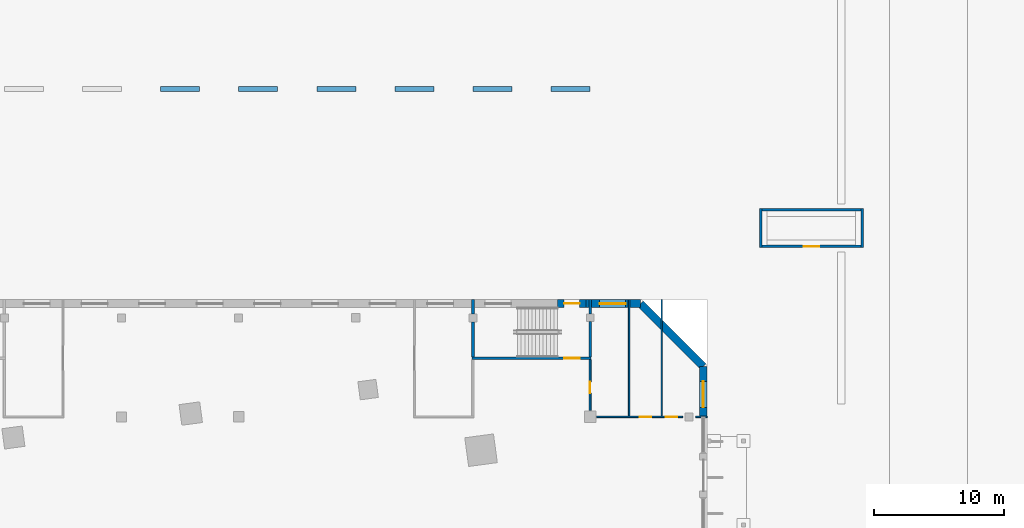
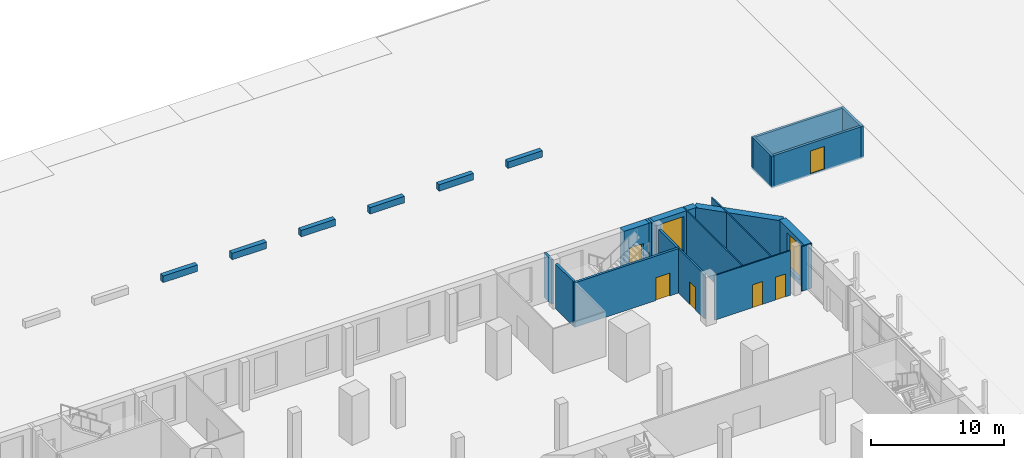
# One storey, part 33 of 42: 24 walls, 6 doors, 2 windows, 8 openings.
"""IFC4 building model written with IfcOpenShell, lengths in metres."""

from ifc_helpers import new_model, si_unit, direction, frame, frame_2d, origin, place, context, subcontext, project, spatial, rectangle, extrude, material, layer, layer_set, type_object, element, fill, save


model = new_model("IFC4")

# Units and contexts
model_context = context("Model", 3, precision=1e-05, world=origin(), true_north=direction((0.0, 1.0)))
body_context = subcontext(model_context, "Body", "Model", "MODEL_VIEW")
ifc_project = project(units=[si_unit("LENGTHUNIT", "METRE"), si_unit("AREAUNIT", "SQUARE_METRE"), si_unit("VOLUMEUNIT", "CUBIC_METRE"), si_unit("PLANEANGLEUNIT", "RADIAN"), si_unit("MASSUNIT", "GRAM", prefix="KILO")], contexts=[model_context])

# Site, building, storey
site_placement = place(None, origin())
site = spatial("IfcSite", under=ifc_project, at=site_placement, CompositionType="ELEMENT")
building_placement = place(site_placement, origin())
building = spatial("IfcBuilding", under=site, at=building_placement, Name="Dilmun Exchange Tower", CompositionType="ELEMENT")
storey_placement = place(building_placement, origin())
storey = spatial("IfcBuildingStorey", under=building, at=storey_placement, Name="L00", CompositionType="ELEMENT", Elevation=0.0)

# Wall, opening, door
ifc_material_1 = material(Name="Fire partition EI 60 150 gypsum")
ifc_layer_1 = layer(ifc_material_1, 0.14990234375)
ifc_layer_set_1 = layer_set([ifc_layer_1], Name="Fire partition EI 60 150 gypsum")
wall_type_1 = type_object("IfcWallType", Name="Fire partition EI 60 150 gypsum", PredefinedType="PARTITIONING", material=ifc_layer_set_1)
wall_1_placement = place(storey_placement, frame((27.0, 27.5, 0.0), z_axis=(0.0, 0.0, 1.0), x_axis=(0.0, 1.0, 0.0)))
wall_1 = element("IfcWall", 1, at=wall_1_placement, inside=storey, type_object=wall_type_1, Name="L00 partition", PredefinedType="PARTITIONING", context=body_context, shape_type="SweptSolid", body=[
    extrude(rectangle(XDim=3.89990234375, YDim=0.14990234375, at=frame_2d((1.949951171875, 0.0))), origin(), (0.0, 0.0, 1.0), 4.10009765625),
])
opening_1_placement = place(wall_1_placement, frame((1.300048828125, 0.0, 0.0)))
opening_1 = element("IfcOpeningElement", 2, at=opening_1_placement, cuts=wall_1, Name="Opening L00-D005", PredefinedType="OPENING", context=body_context, shape_type="SweptSolid", body=[
    extrude(rectangle(XDim=0.89990234375, YDim=2.10009765625, at=frame_2d((0.449951171875, 1.050048828125))), frame((0.0, 0.0849609375, 0.0), z_axis=(0.0, -1.0, 0.0), x_axis=(1.0, 0.0, 0.0)), (0.0, 0.0, 1.0), 0.169921875),
])
ifc_material_2 = material(Name="Door 900 x 2100")
door_type_1 = type_object("IfcDoorType", Name="Door 900 x 2100", OperationType="SINGLE_SWING_LEFT", PredefinedType="DOOR", material=ifc_material_2)
door_1_placement = place(opening_1_placement, origin())
door_1 = element("IfcDoor", 3, at=door_1_placement, inside=storey, type_object=door_type_1, Name="L00 door L00-D005", OperationType="SINGLE_SWING_LEFT", OverallHeight=2.10009765625, OverallWidth=0.89990234375, PredefinedType="DOOR", context=body_context, shape_type="SweptSolid", body=[
    extrude(rectangle(XDim=0.89990234375, YDim=2.10009765625, at=frame_2d((0.449951171875, 1.050048828125))), frame((0.0, 0.02490234375, 0.0), z_axis=(0.0, -1.0, 0.0), x_axis=(1.0, 0.0, 0.0)), (0.0, 0.0, 1.0), 0.050048828125),
])
fill(opening_1, door_1)

ifc_material_3 = material(Name="Fire wall EI 120 200 blockwork", Category="masonry")
ifc_layer_2 = layer(ifc_material_3, 0.199951171875)
ifc_layer_set_2 = layer_set([ifc_layer_2], Name="Fire wall EI 120 200 blockwork")
wall_type_2 = type_object("IfcWallType", Name="Fire wall EI 120 200 blockwork", PredefinedType="PARTITIONING", material=ifc_layer_set_2)
wall_2_placement = place(storey_placement, frame((17.925048828125, 31.5, 0.0), z_axis=(0.0, 0.0, 1.0), x_axis=(1.0, 0.0, 0.0)))
wall_2 = element("IfcWall", 4, at=wall_2_placement, inside=storey, type_object=wall_type_2, Name="L00 stair wall", PredefinedType="PARTITIONING", context=body_context, shape_type="SweptSolid", body=[
    extrude(rectangle(XDim=9.14990234375, YDim=0.199951171875, at=frame_2d((4.574951171875, 0.0))), origin(), (0.0, 0.0, 1.0), 4.10009765625),
])
opening_2_placement = place(wall_2_placement, frame((7.074951171875, 0.0, 0.0)))
opening_2 = element("IfcOpeningElement", 5, at=opening_2_placement, cuts=wall_2, Name="Opening L00-D002", PredefinedType="OPENING", context=body_context, shape_type="SweptSolid", body=[
    extrude(rectangle(XDim=1.199951171875, YDim=2.10009765625, at=frame_2d((0.60009765625, 1.050048828125))), frame((0.0, 0.10986328125, 0.0), z_axis=(0.0, -1.0, 0.0), x_axis=(1.0, 0.0, 0.0)), (0.0, 0.0, 1.0), 0.219970703125),
])
ifc_material_4 = material(Name="Stair door FD90 1200 x 2100")
door_type_2 = type_object("IfcDoorType", Name="Stair door FD90 1200 x 2100", OperationType="SINGLE_SWING_LEFT", PredefinedType="DOOR", material=ifc_material_4)
door_2_placement = place(opening_2_placement, frame((1.199951171875, 0.0, 0.0), z_axis=(0.0, 0.0, 1.0), x_axis=(-1.0, 0.0, 0.0)))
door_2 = element("IfcDoor", 6, at=door_2_placement, inside=storey, type_object=door_type_2, Name="L00 door L00-D002", OperationType="SINGLE_SWING_RIGHT", OverallHeight=2.10009765625, OverallWidth=1.199951171875, PredefinedType="DOOR", context=body_context, shape_type="SweptSolid", body=[
    extrude(rectangle(XDim=1.199951171875, YDim=2.10009765625, at=frame_2d((0.60009765625, 1.050048828125))), frame((0.0, 0.02490234375, 0.0), z_axis=(0.0, -1.0, 0.0), x_axis=(1.0, 0.0, 0.0)), (0.0, 0.0, 1.0), 0.050048828125),
])
fill(opening_2, door_2)

# Walls
wall_3_placement = place(storey_placement, frame((18.0, 31.60009765625, 0.0), z_axis=(0.0, 0.0, 1.0), x_axis=(0.0, 1.0, 0.0)))
element("IfcWall", 7, at=wall_3_placement, inside=storey, type_object=wall_type_2, Name="L00 stair wall", PredefinedType="PARTITIONING", context=body_context, shape_type="SweptSolid", body=[
    extrude(rectangle(XDim=2.6875, YDim=0.199951171875, at=frame_2d((1.34375, 0.0))), origin(), (0.0, 0.0, 1.0), 4.10009765625),
])
wall_4_placement = place(storey_placement, frame((18.0, 34.91259765625, 0.0), z_axis=(0.0, 0.0, 1.0), x_axis=(0.0, 1.0, 0.0)))
element("IfcWall", 8, at=wall_4_placement, inside=storey, type_object=wall_type_2, Name="L00 stair wall", PredefinedType="PARTITIONING", context=body_context, shape_type="SweptSolid", body=[
    extrude(rectangle(XDim=1.08740234375, YDim=0.199951171875, at=frame_2d((0.543701171875, 0.0))), origin(), (0.0, 0.0, 1.0), 4.10009765625),
])
wall_5_placement = place(storey_placement, frame((27.0, 31.60009765625, 0.0), z_axis=(0.0, 0.0, 1.0), x_axis=(0.0, 1.0, 0.0)))
element("IfcWall", 9, at=wall_5_placement, inside=storey, type_object=wall_type_2, Name="L00 stair wall", PredefinedType="PARTITIONING", context=body_context, shape_type="SweptSolid", body=[
    extrude(rectangle(XDim=2.71240234375, YDim=0.199951171875, at=frame_2d((1.356201171875, 0.0))), origin(), (0.0, 0.0, 1.0), 4.10009765625),
])
wall_6_placement = place(storey_placement, frame((27.0, 34.887451171875, 0.0), z_axis=(0.0, 0.0, 1.0), x_axis=(0.0, 1.0, 0.0)))
element("IfcWall", 10, at=wall_6_placement, inside=storey, type_object=wall_type_2, Name="L00 stair wall", PredefinedType="PARTITIONING", context=body_context, shape_type="SweptSolid", body=[
    extrude(rectangle(XDim=1.112548828125, YDim=0.199951171875, at=frame_2d((0.55615234375, 0.0))), origin(), (0.0, 0.0, 1.0), 4.10009765625),
])

# Wall, openings, doors
ifc_material_5 = material(Name="Partition 100 gypsum")
ifc_layer_3 = layer(ifc_material_5, 0.10009765625)
ifc_layer_set_3 = layer_set([ifc_layer_3], Name="Partition 100 gypsum")
wall_type_3 = type_object("IfcWallType", Name="Partition 100 gypsum", PredefinedType="PARTITIONING", material=ifc_layer_set_3)
wall_7_placement = place(storey_placement, frame((27.5, 27.0, 0.0), z_axis=(0.0, 0.0, 1.0), x_axis=(1.0, 0.0, 0.0)))
wall_7 = element("IfcWall", 11, at=wall_7_placement, inside=storey, type_object=wall_type_3, Name="L00 partition", PredefinedType="PARTITIONING", context=body_context, shape_type="SweptSolid", body=[
    extrude(rectangle(XDim=6.60009765625, YDim=0.10009765625, at=frame_2d((3.300048828125, 0.0))), origin(), (0.0, 0.0, 1.0), 4.10009765625),
])
opening_3_placement = place(wall_7_placement, frame((3.300048828125, 0.0, 0.0)))
opening_3 = element("IfcOpeningElement", 12, at=opening_3_placement, cuts=wall_7, Name="Opening L00-D006", PredefinedType="OPENING", context=body_context, shape_type="SweptSolid", body=[
    extrude(rectangle(XDim=0.89990234375, YDim=2.10009765625, at=frame_2d((0.449951171875, 1.050048828125))), frame((0.0, 0.06005859375, 0.0), z_axis=(0.0, -1.0, 0.0), x_axis=(1.0, 0.0, 0.0)), (0.0, 0.0, 1.0), 0.1201171875),
])
opening_4_placement = place(wall_7_placement, frame((5.300048828125, 0.0, 0.0)))
opening_4 = element("IfcOpeningElement", 13, at=opening_4_placement, cuts=wall_7, Name="Opening L00-D007", PredefinedType="OPENING", context=body_context, shape_type="SweptSolid", body=[
    extrude(rectangle(XDim=0.89990234375, YDim=2.10009765625, at=frame_2d((0.449951171875, 1.050048828125))), frame((0.0, 0.06005859375, 0.0), z_axis=(0.0, -1.0, 0.0), x_axis=(1.0, 0.0, 0.0)), (0.0, 0.0, 1.0), 0.1201171875),
])
door_3_placement = place(opening_3_placement, origin())
door_3 = element("IfcDoor", 14, at=door_3_placement, inside=storey, type_object=door_type_1, Name="L00 door L00-D006", OperationType="SINGLE_SWING_RIGHT", OverallHeight=2.10009765625, OverallWidth=0.89990234375, PredefinedType="DOOR", context=body_context, shape_type="SweptSolid", body=[
    extrude(rectangle(XDim=0.89990234375, YDim=2.10009765625, at=frame_2d((0.449951171875, 1.050048828125))), frame((0.0, 0.02490234375, 0.0), z_axis=(0.0, -1.0, 0.0), x_axis=(1.0, 0.0, 0.0)), (0.0, 0.0, 1.0), 0.050048828125),
])
fill(opening_3, door_3)
door_4_placement = place(opening_4_placement, origin())
door_4 = element("IfcDoor", 15, at=door_4_placement, inside=storey, type_object=door_type_1, Name="L00 door L00-D007", OperationType="SINGLE_SWING_LEFT", OverallHeight=2.10009765625, OverallWidth=0.89990234375, PredefinedType="DOOR", context=body_context, shape_type="SweptSolid", body=[
    extrude(rectangle(XDim=0.89990234375, YDim=2.10009765625, at=frame_2d((0.449951171875, 1.050048828125))), frame((0.0, 0.02490234375, 0.0), z_axis=(0.0, -1.0, 0.0), x_axis=(1.0, 0.0, 0.0)), (0.0, 0.0, 1.0), 0.050048828125),
])
fill(opening_4, door_4)

# Walls
wall_8_placement = place(storey_placement, frame((35.10009765625, 27.0, 0.0), z_axis=(0.0, 0.0, 1.0), x_axis=(1.0, 0.0, 0.0)))
element("IfcWall", 16, at=wall_8_placement, inside=storey, type_object=wall_type_3, Name="L00 partition", PredefinedType="PARTITIONING", context=body_context, shape_type="SweptSolid", body=[
    extrude(rectangle(XDim=0.89990234375, YDim=0.10009765625, at=frame_2d((0.449951171875, 0.0))), origin(), (0.0, 0.0, 1.0), 4.10009765625),
])
for number, where, z_axis, x_axis, name in (
    (17, (30.0, 27.050048828125, 0.0), (0.0, 0.0, 1.0), (0.0, 1.0, 0.0), "L00 partition"),
    (18, (32.5, 27.050048828125, 0.0), (0.0, 0.0, 1.0), (0.0, 1.0, 0.0), "L00 partition"),
):
    element("IfcWall", number, at=place(storey_placement, frame(where, z_axis=z_axis, x_axis=x_axis)), inside=storey, type_object=wall_type_3, Name=name, PredefinedType="PARTITIONING", context=body_context, shape_type="SweptSolid", body=[
        extrude(rectangle(XDim=8.949951171875, YDim=0.10009765625, at=frame_2d((4.47509765625, 0.0))), origin(), (0.0, 0.0, 1.0), 4.10009765625),
    ])
ifc_material_6 = material(Name="Precast concrete C40/50", Category="concrete")
ifc_layer_4 = layer(ifc_material_6, 0.39990234375)
ifc_layer_set_4 = layer_set([ifc_layer_4], Name="Precast concrete C40/50")
wall_type_4 = type_object("IfcWallType", Name="Planter wall 400 precast C40/50", PredefinedType="USERDEFINED", material=ifc_layer_set_4)
for number, where, z_axis, x_axis, name in (
    (19, (-6.0, 52.199951171875, 0.0), (0.0, 0.0, 1.0), (1.0, 0.0, 0.0), "Planter"),
    (20, (0.0, 52.199951171875, 0.0), (0.0, 0.0, 1.0), (1.0, 0.0, 0.0), "Planter"),
    (21, (6.0, 52.199951171875, 0.0), (0.0, 0.0, 1.0), (1.0, 0.0, 0.0), "Planter"),
    (22, (12.0, 52.199951171875, 0.0), (0.0, 0.0, 1.0), (1.0, 0.0, 0.0), "Planter"),
    (23, (18.0, 52.199951171875, 0.0), (0.0, 0.0, 1.0), (1.0, 0.0, 0.0), "Planter"),
    (24, (24.0, 52.199951171875, 0.0), (0.0, 0.0, 1.0), (1.0, 0.0, 0.0), "Planter"),
):
    element("IfcWall", number, at=place(storey_placement, frame(where, z_axis=z_axis, x_axis=x_axis)), inside=storey, type_object=wall_type_4, Name=name, ObjectType="PLANTER", PredefinedType="USERDEFINED", context=body_context, shape_type="SweptSolid", body=[
        extrude(rectangle(XDim=3.0, YDim=0.39990234375, at=frame_2d((1.5, 0.0))), origin(), (0.0, 0.0, 1.0), 0.60009765625),
    ])

# Wall, opening, window
ifc_material_7 = material(Name="Precast concrete C50/60", Category="concrete")
ifc_layer_5 = layer(ifc_material_7, 0.60009765625)
ifc_layer_set_5 = layer_set([ifc_layer_5], Name="Precast concrete C50/60")
wall_type_5 = type_object("IfcWallType", Name="Precast stone-clad wall 600", PredefinedType="STANDARD", material=ifc_layer_set_5)
wall_9_placement = place(storey_placement, frame((35.699951171875, 27.0, 0.0), z_axis=(0.0, 0.0, 1.0), x_axis=(0.0, 1.0, 0.0)))
wall_9 = element("IfcWall", 25, at=wall_9_placement, inside=storey, type_object=wall_type_5, Name="Facade wall L00-02-13", PredefinedType="STANDARD", context=body_context, shape_type="SweptSolid", body=[
    extrude(rectangle(XDim=3.875732421875, YDim=0.60009765625, at=frame_2d((1.93798828125, 0.0))), origin(), (0.0, 0.0, 1.0), 4.10009765625),
])
opening_5_placement = place(wall_9_placement, frame((0.7236328125, 0.0, 0.449951171875)))
opening_5 = element("IfcOpeningElement", 26, at=opening_5_placement, cuts=wall_9, Name="Opening SF200-320", PredefinedType="OPENING", context=body_context, shape_type="SweptSolid", body=[
    extrude(rectangle(XDim=2.0, YDim=3.199951171875, at=frame_2d((1.0, 1.60009765625))), frame((0.0, 0.31005859375, 0.0), z_axis=(0.0, -1.0, 0.0), x_axis=(1.0, 0.0, 0.0)), (0.0, 0.0, 1.0), 0.6201171875),
])
ifc_material_8 = material(Name="Clear low-emissivity glass in aluminium frame", Category="aluminium")
window_type = type_object("IfcWindowType", Name="Shopfront window 2000 x 3200", PartitioningType="DOUBLE_PANEL_VERTICAL", PredefinedType="WINDOW", material=ifc_material_8)
window_1_placement = place(opening_5_placement, origin())
window_1 = element("IfcWindow", 27, at=window_1_placement, inside=storey, type_object=window_type, Name="Window 3.14", OverallHeight=3.199951171875, OverallWidth=2.0, PartitioningType="SINGLE_PANEL", PredefinedType="WINDOW", context=body_context, shape_type="SweptSolid", body=[
    extrude(rectangle(XDim=2.0, YDim=3.199951171875, at=frame_2d((1.0, 1.60009765625))), frame((0.0, 0.030029296875, 0.0), z_axis=(0.0, -1.0, 0.0), x_axis=(1.0, 0.0, 0.0)), (0.0, 0.0, 1.0), 0.06005859375),
])
fill(opening_5, window_1)

# Wall
wall_10_placement = place(storey_placement, frame((35.699951171875, 30.875732421875, 0.0), z_axis=(0.0, 0.0, 1.0), x_axis=(-0.707106781187, 0.707106781187, 0.0)))
element("IfcWall", 28, at=wall_10_placement, inside=storey, type_object=wall_type_5, Name="Facade wall L00-03-0", PredefinedType="STANDARD", context=body_context, shape_type="SweptSolid", body=[
    extrude(rectangle(XDim=6.822509765625, YDim=0.60009765625, at=frame_2d((3.4111328125, 0.0))), origin(), (0.0, 0.0, 1.0), 4.10009765625),
])

# Wall, opening, window
wall_11_placement = place(storey_placement, frame((30.875732421875, 35.699951171875, 0.0), z_axis=(0.0, 0.0, 1.0), x_axis=(-1.0, 0.0, 0.0)))
wall_11 = element("IfcWall", 29, at=wall_11_placement, inside=storey, type_object=wall_type_5, Name="Facade wall L00-04-0", PredefinedType="STANDARD", context=body_context, shape_type="SweptSolid", body=[
    extrude(rectangle(XDim=4.17578125, YDim=0.60009765625, at=frame_2d((2.087890625, 0.0))), origin(), (0.0, 0.0, 1.0), 4.10009765625),
])
opening_6_placement = place(wall_11_placement, frame((1.152099609375, 0.0, 0.449951171875)))
opening_6 = element("IfcOpeningElement", 30, at=opening_6_placement, cuts=wall_11, Name="Opening SF200-320", PredefinedType="OPENING", context=body_context, shape_type="SweptSolid", body=[
    extrude(rectangle(XDim=2.0, YDim=3.199951171875, at=frame_2d((1.0, 1.60009765625))), frame((0.0, 0.31005859375, 0.0), z_axis=(0.0, -1.0, 0.0), x_axis=(1.0, 0.0, 0.0)), (0.0, 0.0, 1.0), 0.6201171875),
])
window_2_placement = place(opening_6_placement, origin())
window_2 = element("IfcWindow", 31, at=window_2_placement, inside=storey, type_object=window_type, Name="Window 5.1", OverallHeight=3.199951171875, OverallWidth=2.0, PartitioningType="SINGLE_PANEL", PredefinedType="WINDOW", context=body_context, shape_type="SweptSolid", body=[
    extrude(rectangle(XDim=2.0, YDim=3.199951171875, at=frame_2d((1.0, 1.60009765625))), frame((0.0, 0.030029296875, 0.0), z_axis=(0.0, -1.0, 0.0), x_axis=(1.0, 0.0, 0.0)), (0.0, 0.0, 1.0), 0.06005859375),
])
fill(opening_6, window_2)

# Wall, opening, door
wall_12_placement = place(storey_placement, frame((24.5, 35.699951171875, 0.0), z_axis=(0.0, 0.0, 1.0), x_axis=(1.0, 0.0, 0.0)))
wall_12 = element("IfcWall", 32, at=wall_12_placement, inside=storey, type_object=wall_type_5, Name="Facade wall L00-04-1", PredefinedType="STANDARD", context=body_context, shape_type="SweptSolid", body=[
    extrude(rectangle(XDim=2.199951171875, YDim=0.60009765625, at=frame_2d((1.10009765625, 0.0))), origin(), (0.0, 0.0, 1.0), 4.10009765625),
])
opening_7_placement = place(wall_12_placement, frame((0.5, 0.0, 0.0)))
opening_7 = element("IfcOpeningElement", 33, at=opening_7_placement, cuts=wall_12, Name="Opening XD1", PredefinedType="OPENING", context=body_context, shape_type="SweptSolid", body=[
    extrude(rectangle(XDim=1.199951171875, YDim=2.39990234375, at=frame_2d((0.60009765625, 1.199951171875))), frame((0.0, 0.31005859375, 0.0), z_axis=(0.0, -1.0, 0.0), x_axis=(1.0, 0.0, 0.0)), (0.0, 0.0, 1.0), 0.6201171875),
])
door_type_3 = type_object("IfcDoorType", Name="Glazed exit door 1200 x 2400", OperationType="SINGLE_SWING_LEFT", PredefinedType="DOOR", material=ifc_material_8)
door_5_placement = place(opening_7_placement, origin())
door_5 = element("IfcDoor", 34, at=door_5_placement, inside=storey, type_object=door_type_3, Name="Door X-PS2 stair discharge", OperationType="SINGLE_SWING_LEFT", OverallHeight=2.39990234375, OverallWidth=1.199951171875, PredefinedType="DOOR", context=body_context, shape_type="SweptSolid", body=[
    extrude(rectangle(XDim=1.199951171875, YDim=2.39990234375, at=frame_2d((0.60009765625, 1.199951171875))), frame((0.0, 0.02490234375, 0.0), z_axis=(0.0, -1.0, 0.0), x_axis=(1.0, 0.0, 0.0)), (0.0, 0.0, 1.0), 0.050048828125),
])
fill(opening_7, door_5)

# Walls
ifc_material_9 = material(Name="Concrete C32/40", Category="concrete")
ifc_layer_6 = layer(ifc_material_9, 0.199951171875)
ifc_layer_set_6 = layer_set([ifc_layer_6], Name="Concrete C32/40")
wall_type_6 = type_object("IfcWallType", Name="Store wall 200 concrete C32/40", PredefinedType="SOLIDWALL", material=ifc_layer_set_6)
wall_13_placement = place(storey_placement, frame((40.10009765625, 40.0, -0.14990234375), z_axis=(0.0, 0.0, 1.0), x_axis=(0.0, 1.0, 0.0)))
element("IfcWall", 35, at=wall_13_placement, inside=storey, type_object=wall_type_6, Name="Cycle store wall", PredefinedType="SOLIDWALL", context=body_context, shape_type="SweptSolid", body=[
    extrude(rectangle(XDim=3.0, YDim=0.199951171875, at=frame_2d((1.5, 0.0))), origin(), (0.0, 0.0, 1.0), 2.949951171875),
])
wall_14_placement = place(storey_placement, frame((40.0, 42.89990234375, -0.14990234375), z_axis=(0.0, 0.0, 1.0), x_axis=(1.0, 0.0, 0.0)))
element("IfcWall", 36, at=wall_14_placement, inside=storey, type_object=wall_type_6, Name="Cycle store wall", PredefinedType="SOLIDWALL", context=body_context, shape_type="SweptSolid", body=[
    extrude(rectangle(XDim=8.0, YDim=0.199951171875, at=frame_2d((4.0, 0.0))), origin(), (0.0, 0.0, 1.0), 2.949951171875),
])
wall_15_placement = place(storey_placement, frame((47.89990234375, 43.0, -0.14990234375), z_axis=(0.0, 0.0, 1.0), x_axis=(0.0, -1.0, 0.0)))
element("IfcWall", 37, at=wall_15_placement, inside=storey, type_object=wall_type_6, Name="Cycle store wall", PredefinedType="SOLIDWALL", context=body_context, shape_type="SweptSolid", body=[
    extrude(rectangle(XDim=3.0, YDim=0.199951171875, at=frame_2d((1.5, 0.0))), origin(), (0.0, 0.0, 1.0), 2.949951171875),
])

# Wall, opening, door
wall_16_placement = place(storey_placement, frame((48.0, 40.10009765625, -0.14990234375), z_axis=(0.0, 0.0, 1.0), x_axis=(-1.0, 0.0, 0.0)))
wall_16 = element("IfcWall", 38, at=wall_16_placement, inside=storey, type_object=wall_type_6, Name="Cycle store wall", PredefinedType="SOLIDWALL", context=body_context, shape_type="SweptSolid", body=[
    extrude(rectangle(XDim=8.0, YDim=0.199951171875, at=frame_2d((4.0, 0.0))), origin(), (0.0, 0.0, 1.0), 2.949951171875),
])
opening_8_placement = place(wall_16_placement, frame((3.39990234375, 0.0, 0.14990234375)))
opening_8 = element("IfcOpeningElement", 39, at=opening_8_placement, cuts=wall_16, Name="Opening SIT-D1", PredefinedType="OPENING", context=body_context, shape_type="SweptSolid", body=[
    extrude(rectangle(XDim=1.199951171875, YDim=2.10009765625, at=frame_2d((0.60009765625, 1.050048828125))), frame((0.0, 0.10986328125, 0.0), z_axis=(0.0, -1.0, 0.0), x_axis=(1.0, 0.0, 0.0)), (0.0, 0.0, 1.0), 0.219970703125),
])
ifc_material_10 = material(Name="Galvanised steel", Category="steel")
door_type_4 = type_object("IfcDoorType", Name="Store service door 1200 x 2100", OperationType="NOTDEFINED", PredefinedType="DOOR", material=ifc_material_10)
door_6_placement = place(opening_8_placement, origin())
door_6 = element("IfcDoor", 40, at=door_6_placement, inside=storey, type_object=door_type_4, Name="Cycle store service door", OperationType="SINGLE_SWING_LEFT", OverallHeight=2.10009765625, OverallWidth=1.199951171875, PredefinedType="DOOR", context=body_context, shape_type="SweptSolid", body=[
    extrude(rectangle(XDim=1.199951171875, YDim=2.10009765625, at=frame_2d((0.60009765625, 1.050048828125))), frame((0.0, 0.02490234375, 0.0), z_axis=(0.0, -1.0, 0.0), x_axis=(1.0, 0.0, 0.0)), (0.0, 0.0, 1.0), 0.050048828125),
])
fill(opening_8, door_6)

save(model, "model.ifc")
